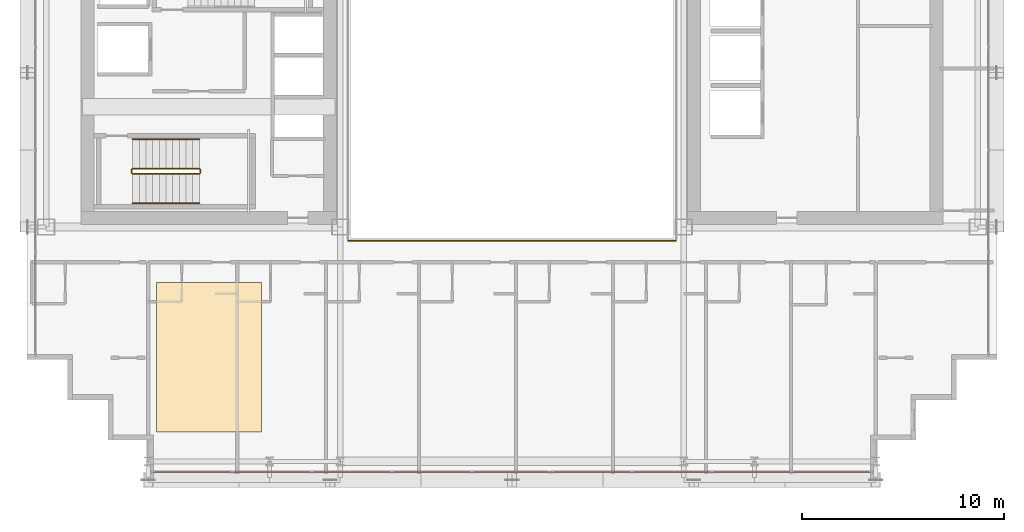
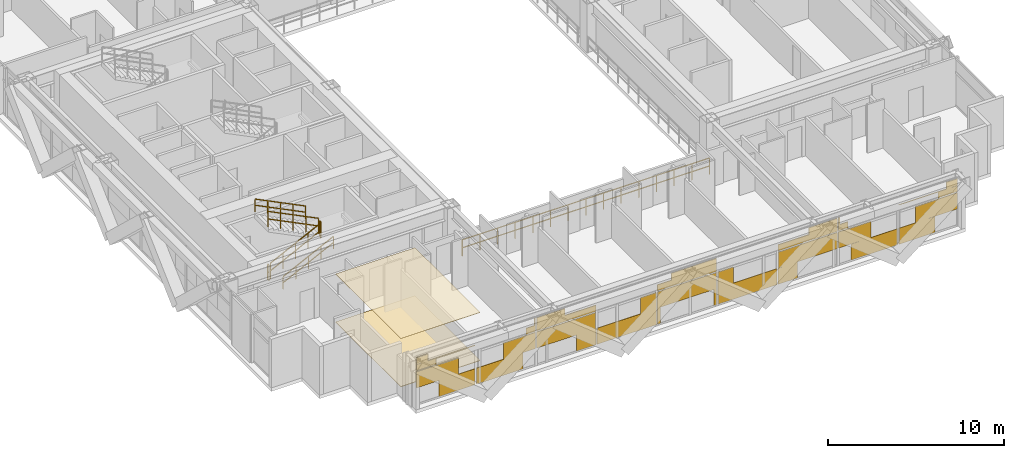
# One storey, part 32 of 35: 7 railings, 3 coverings.
"""IFC4 building model written with IfcOpenShell, lengths in metres."""

from ifc_helpers import new_model, si_unit, direction, frame, origin, origin_2d, place, context, subcontext, project, spatial, polyline, rectangle, outline, extrude, material, layer, layer_set, type_object, element, save


model = new_model("IFC4")

# Units and contexts
model_context = context("Model", 3, precision=1e-05, world=origin(), true_north=direction((0.0, 1.0)))
body_context = subcontext(model_context, "Body", "Model", "MODEL_VIEW")
ifc_project = project(units=[si_unit("LENGTHUNIT", "METRE"), si_unit("AREAUNIT", "SQUARE_METRE"), si_unit("VOLUMEUNIT", "CUBIC_METRE"), si_unit("PLANEANGLEUNIT", "RADIAN"), si_unit("MASSUNIT", "GRAM", prefix="KILO")], contexts=[model_context])

# Site, building, storey
site_placement = place(None, origin())
site = spatial("IfcSite", under=ifc_project, at=site_placement, CompositionType="ELEMENT")
building_placement = place(site_placement, origin())
building = spatial("IfcBuilding", under=site, at=building_placement, Name="Ocotamira Hotel", CompositionType="ELEMENT")
storey_placement = place(building_placement, frame((0.0, 0.0, 100.800048828125)))
storey = spatial("IfcBuildingStorey", under=building, at=storey_placement, Name="L24", CompositionType="ELEMENT", Elevation=100.800048828125)

# Coverings
ifc_material_1 = material(Name="Perforated acoustic gypsum ceiling board", Category="gypsum")
ifc_layer_1 = layer(ifc_material_1, 0.02490234375)
ifc_layer_set_1 = layer_set([ifc_layer_1], Name="Perforated acoustic gypsum ceiling board")
covering_type_1 = type_object("IfcCoveringType", Name="COV-CEIL-25", PredefinedType="CEILING", material=ifc_layer_set_1)
covering_1_placement = place(storey_placement, frame((0.0, 0.0, 3.3349609375)))
element("IfcCovering", 1, at=covering_1_placement, inside=storey, type_object=covering_type_1, Name="L24 Acoustic Ceiling", PredefinedType="CEILING", context=body_context, shape_type="SweptSolid", body=[
    extrude(outline(polyline([(14.39990234375, 4.39990234375), (19.60009765625, 4.39990234375), (19.60009765625, 11.800048828125), (14.39990234375, 11.800048828125), (14.39990234375, 4.39990234375)])), origin(), (0.0, 0.0, 1.0), 0.02490234375),
])
ifc_material_2 = material(Name="Honed desert travertine stone flooring", Category="masonry")
ifc_layer_2 = layer(ifc_material_2, 0.030029296875)
ifc_layer_set_2 = layer_set([ifc_layer_2], Name="Honed desert travertine stone flooring")
covering_type_2 = type_object("IfcCoveringType", Name="COV-FLOR-30", PredefinedType="FLOORING", material=ifc_layer_set_2)
covering_2_placement = place(storey_placement, origin())
element("IfcCovering", 2, at=covering_2_placement, inside=storey, type_object=covering_type_2, Name="L24 Honed Stone Floor Finish", PredefinedType="FLOORING", context=body_context, shape_type="SweptSolid", body=[
    extrude(outline(polyline([(14.39990234375, 4.39990234375), (19.60009765625, 4.39990234375), (19.60009765625, 11.800048828125), (14.39990234375, 11.800048828125), (14.39990234375, 4.39990234375)])), origin(), (0.0, 0.0, 1.0), 0.030029296875),
])
ifc_material_3 = material(Name="Insulated pale-metal aluminium spandrel panel", Category="aluminium")
ifc_layer_3 = layer(ifc_material_3, 0.044921875)
ifc_layer_set_3 = layer_set([ifc_layer_3], Name="Insulated pale-metal aluminium spandrel panel")
covering_type_3 = type_object("IfcCoveringType", Name="COV-INFILL-45", PredefinedType="CLADDING", material=ifc_layer_set_3)
covering_3_placement = place(storey_placement, origin())
element("IfcCovering", 3, at=covering_3_placement, inside=storey, type_object=covering_type_3, Name="L24 Curtain Wall Infill CW-3 CW-L24-S1", PredefinedType="CLADDING", context=body_context, shape_type="SweptSolid", body=[
    extrude(rectangle(XDim=2.754638671875, YDim=0.044921875, at=origin_2d()), frame((15.65771484375, 2.419921875, 1.194091796875), z_axis=(0.0, 0.0, 1.0), x_axis=(1.0, 0.0, 0.0)), (0.0, 0.0, 1.0), 1.11767578125),
    extrude(rectangle(XDim=2.359619140625, YDim=0.044921875, at=origin_2d()), frame((16.935302734375, 2.419921875, 0.0751953125), z_axis=(0.0, 0.0, 1.0), x_axis=(1.0, 0.0, 0.0)), (0.0, 0.0, 1.0), 1.117919921875),
    extrude(rectangle(XDim=1.262451171875, YDim=0.044921875, at=origin_2d()), frame((14.91162109375, 2.419921875, 2.387939453125), z_axis=(0.0, 0.0, 1.0), x_axis=(1.0, 0.0, 0.0)), (0.0, 0.0, 1.0), 0.3935546875),
    extrude(rectangle(XDim=3.834716796875, YDim=0.044921875, at=origin_2d()), frame((16.19775390625, 2.419921875, 2.782470703125), z_axis=(0.0, 0.0, 1.0), x_axis=(1.0, 0.0, 0.0)), (0.0, 0.0, 1.0), 0.0302734375),
    extrude(rectangle(XDim=0.730224609375, YDim=0.044921875, at=origin_2d()), frame((14.6455078125, 2.419921875, 2.813720703125), z_axis=(0.0, 0.0, 1.0), x_axis=(1.0, 0.0, 0.0)), (0.0, 0.0, 1.0), 0.470703125),
    extrude(rectangle(XDim=3.04833984375, YDim=0.044921875, at=origin_2d()), frame((19.72021484375, 2.419921875, 0.0751953125), z_axis=(0.0, 0.0, 1.0), x_axis=(1.0, 0.0, 0.0)), (0.0, 0.0, 1.0), 1.117919921875),
    extrude(rectangle(XDim=2.105712890625, YDim=0.044921875, at=origin_2d()), frame((21.017578125, 2.419921875, 1.194091796875), z_axis=(0.0, 0.0, 1.0), x_axis=(1.0, 0.0, 0.0)), (0.0, 0.0, 1.0), 1.11767578125),
    extrude(rectangle(XDim=0.613525390625, YDim=0.044921875, at=origin_2d()), frame((21.763916015625, 2.419921875, 2.387939453125), z_axis=(0.0, 0.0, 1.0), x_axis=(1.0, 0.0, 0.0)), (0.0, 0.0, 1.0), 0.4248046875),
    extrude(rectangle(XDim=0.081298828125, YDim=0.044921875, at=origin_2d()), frame((22.02978515625, 2.419921875, 2.813720703125), z_axis=(0.0, 0.0, 1.0), x_axis=(1.0, 0.0, 0.0)), (0.0, 0.0, 1.0), 0.470703125),
    extrude(rectangle(XDim=3.87451171875, YDim=0.044921875, at=origin_2d()), frame((24.0888671875, 2.419921875, 1.194091796875), z_axis=(0.0, 0.0, 1.0), x_axis=(1.0, 0.0, 0.0)), (0.0, 0.0, 1.0), 1.11767578125),
    extrude(rectangle(XDim=1.270751953125, YDim=0.044921875, at=origin_2d()), frame((25.390869140625, 2.419921875, 0.0751953125), z_axis=(0.0, 0.0, 1.0), x_axis=(1.0, 0.0, 0.0)), (0.0, 0.0, 1.0), 1.117919921875),
    extrude(rectangle(XDim=3.87451171875, YDim=0.044921875, at=origin_2d()), frame((24.0888671875, 2.419921875, 2.387939453125), z_axis=(0.0, 0.0, 1.0), x_axis=(1.0, 0.0, 0.0)), (0.0, 0.0, 1.0), 0.4248046875),
    extrude(rectangle(XDim=1.859130859375, YDim=0.044921875, at=origin_2d()), frame((23.081298828125, 2.419921875, 2.813720703125), z_axis=(0.0, 0.0, 1.0), x_axis=(1.0, 0.0, 0.0)), (0.0, 0.0, 1.0), 0.470703125),
    extrude(rectangle(XDim=3.87451171875, YDim=0.044921875, at=origin_2d()), frame((28.04443359375, 2.419921875, 0.0751953125), z_axis=(0.0, 0.0, 1.0), x_axis=(1.0, 0.0, 0.0)), (0.0, 0.0, 1.0), 1.117919921875),
    extrude(rectangle(XDim=1.016845703125, YDim=0.044921875, at=origin_2d()), frame((29.473388671875, 2.419921875, 1.194091796875), z_axis=(0.0, 0.0, 1.0), x_axis=(1.0, 0.0, 0.0)), (0.0, 0.0, 1.0), 1.11767578125),
    extrude(rectangle(XDim=0.181884765625, YDim=0.044921875, at=origin_2d()), frame((30.153564453125, 2.419921875, 0.0751953125), z_axis=(0.0, 0.0, 1.0), x_axis=(1.0, 0.0, 0.0)), (0.0, 0.0, 1.0), 1.117919921875),
    extrude(rectangle(XDim=3.87451171875, YDim=0.044921875, at=origin_2d()), frame((32.0, 2.419921875, 1.194091796875), z_axis=(0.0, 0.0, 1.0), x_axis=(1.0, 0.0, 0.0)), (0.0, 0.0, 1.0), 1.11767578125),
    extrude(rectangle(XDim=0.181884765625, YDim=0.044921875, at=origin_2d()), frame((33.846435546875, 2.419921875, 0.0751953125), z_axis=(0.0, 0.0, 1.0), x_axis=(1.0, 0.0, 0.0)), (0.0, 0.0, 1.0), 1.117919921875),
    extrude(rectangle(XDim=3.87451171875, YDim=0.044921875, at=origin_2d()), frame((32.0, 2.419921875, 2.387939453125), z_axis=(0.0, 0.0, 1.0), x_axis=(1.0, 0.0, 0.0)), (0.0, 0.0, 1.0), 0.4248046875),
    extrude(rectangle(XDim=2.947998046875, YDim=0.044921875, at=origin_2d()), frame((32.46337890625, 2.419921875, 2.813720703125), z_axis=(0.0, 0.0, 1.0), x_axis=(1.0, 0.0, 0.0)), (0.0, 0.0, 1.0), 0.470703125),
    extrude(rectangle(XDim=3.87451171875, YDim=0.044921875, at=origin_2d()), frame((35.95556640625, 2.419921875, 0.0751953125), z_axis=(0.0, 0.0, 1.0), x_axis=(1.0, 0.0, 0.0)), (0.0, 0.0, 1.0), 1.117919921875),
    extrude(rectangle(XDim=1.016845703125, YDim=0.044921875, at=origin_2d()), frame((34.526611328125, 2.419921875, 1.194091796875), z_axis=(0.0, 0.0, 1.0), x_axis=(1.0, 0.0, 0.0)), (0.0, 0.0, 1.0), 1.11767578125),
    extrude(rectangle(XDim=1.270751953125, YDim=0.044921875, at=origin_2d()), frame((38.609130859375, 2.419921875, 0.0751953125), z_axis=(0.0, 0.0, 1.0), x_axis=(1.0, 0.0, 0.0)), (0.0, 0.0, 1.0), 1.117919921875),
    extrude(rectangle(XDim=3.87451171875, YDim=0.044921875, at=origin_2d()), frame((39.9111328125, 2.419921875, 1.194091796875), z_axis=(0.0, 0.0, 1.0), x_axis=(1.0, 0.0, 0.0)), (0.0, 0.0, 1.0), 1.11767578125),
    extrude(rectangle(XDim=3.87451171875, YDim=0.044921875, at=origin_2d()), frame((39.9111328125, 2.419921875, 2.387939453125), z_axis=(0.0, 0.0, 1.0), x_axis=(1.0, 0.0, 0.0)), (0.0, 0.0, 1.0), 0.4248046875),
    extrude(rectangle(XDim=1.859130859375, YDim=0.044921875, at=origin_2d()), frame((40.918701171875, 2.419921875, 2.813720703125), z_axis=(0.0, 0.0, 1.0), x_axis=(1.0, 0.0, 0.0)), (0.0, 0.0, 1.0), 0.470703125),
    extrude(rectangle(XDim=2.105712890625, YDim=0.044921875, at=origin_2d()), frame((42.982421875, 2.419921875, 1.194091796875), z_axis=(0.0, 0.0, 1.0), x_axis=(1.0, 0.0, 0.0)), (0.0, 0.0, 1.0), 1.11767578125),
    extrude(rectangle(XDim=3.04833984375, YDim=0.044921875, at=origin_2d()), frame((44.27978515625, 2.419921875, 0.0751953125), z_axis=(0.0, 0.0, 1.0), x_axis=(1.0, 0.0, 0.0)), (0.0, 0.0, 1.0), 1.117919921875),
    extrude(rectangle(XDim=0.613525390625, YDim=0.044921875, at=origin_2d()), frame((42.236083984375, 2.419921875, 2.387939453125), z_axis=(0.0, 0.0, 1.0), x_axis=(1.0, 0.0, 0.0)), (0.0, 0.0, 1.0), 0.4248046875),
    extrude(rectangle(XDim=0.081298828125, YDim=0.044921875, at=origin_2d()), frame((41.97021484375, 2.419921875, 2.813720703125), z_axis=(0.0, 0.0, 1.0), x_axis=(1.0, 0.0, 0.0)), (0.0, 0.0, 1.0), 0.470703125),
    extrude(rectangle(XDim=2.359619140625, YDim=0.044921875, at=origin_2d()), frame((47.064697265625, 2.419921875, 0.0751953125), z_axis=(0.0, 0.0, 1.0), x_axis=(1.0, 0.0, 0.0)), (0.0, 0.0, 1.0), 1.117919921875),
    extrude(rectangle(XDim=2.754638671875, YDim=0.044921875, at=origin_2d()), frame((48.34228515625, 2.419921875, 1.194091796875), z_axis=(0.0, 0.0, 1.0), x_axis=(1.0, 0.0, 0.0)), (0.0, 0.0, 1.0), 1.11767578125),
    extrude(rectangle(XDim=3.834716796875, YDim=0.044921875, at=origin_2d()), frame((47.80224609375, 2.419921875, 2.782470703125), z_axis=(0.0, 0.0, 1.0), x_axis=(1.0, 0.0, 0.0)), (0.0, 0.0, 1.0), 0.0302734375),
    extrude(rectangle(XDim=1.262451171875, YDim=0.044921875, at=origin_2d()), frame((49.08837890625, 2.419921875, 2.387939453125), z_axis=(0.0, 0.0, 1.0), x_axis=(1.0, 0.0, 0.0)), (0.0, 0.0, 1.0), 0.3935546875),
    extrude(rectangle(XDim=0.730224609375, YDim=0.044921875, at=origin_2d()), frame((49.3544921875, 2.419921875, 2.813720703125), z_axis=(0.0, 0.0, 1.0), x_axis=(1.0, 0.0, 0.0)), (0.0, 0.0, 1.0), 0.470703125),
])

# Railings
ifc_material_4 = material(Name="Painted steel stair guardrail", Category="steel")
railing_type_1 = type_object("IfcRailingType", Name="RL-EDGE-1150", PredefinedType="GUARDRAIL", material=ifc_material_4)
railing_1_placement = place(storey_placement, frame((23.89990234375, 13.8798828125, 0.0)))
element("IfcRailing", 4, at=railing_1_placement, inside=storey, type_object=railing_type_1, Name="L24 Central Atrium Edge Guardrail S", PredefinedType="GUARDRAIL", context=body_context, shape_type="SweptSolid", body=[
    extrude(rectangle(XDim=0.048095703125, YDim=0.048095703125, at=origin_2d()), frame((0.0, 0.0, 1.1259765625), z_axis=(1.0, 0.0, 0.0), x_axis=(0.0, 1.0, 0.0)), (0.0, 0.0, 1.0), 16.2001953125),
    extrude(rectangle(XDim=0.048095703125, YDim=0.048095703125, at=origin_2d()), frame((0.0, 0.0, 0.574951171875), z_axis=(1.0, 0.0, 0.0), x_axis=(0.0, 1.0, 0.0)), (0.0, 0.0, 1.0), 16.2001953125),
    extrude(rectangle(XDim=0.0419921875, YDim=0.0419921875, at=origin_2d()), origin(), (0.0, 0.0, 1.0), 1.101806640625),
    extrude(rectangle(XDim=0.0419921875, YDim=0.0419921875, at=origin_2d()), frame((1.1572265625, 0.0, 0.0)), (0.0, 0.0, 1.0), 1.101806640625),
    extrude(rectangle(XDim=0.0419921875, YDim=0.0419921875, at=origin_2d()), frame((2.314208984375, 0.0, 0.0)), (0.0, 0.0, 1.0), 1.101806640625),
    extrude(rectangle(XDim=0.0419921875, YDim=0.0419921875, at=origin_2d()), frame((3.471435546875, 0.0, 0.0)), (0.0, 0.0, 1.0), 1.101806640625),
    extrude(rectangle(XDim=0.0419921875, YDim=0.0419921875, at=origin_2d()), frame((4.628662109375, 0.0, 0.0)), (0.0, 0.0, 1.0), 1.101806640625),
    extrude(rectangle(XDim=0.0419921875, YDim=0.0419921875, at=origin_2d()), frame((5.785888671875, 0.0, 0.0)), (0.0, 0.0, 1.0), 1.101806640625),
    extrude(rectangle(XDim=0.0419921875, YDim=0.0419921875, at=origin_2d()), frame((6.94287109375, 0.0, 0.0)), (0.0, 0.0, 1.0), 1.101806640625),
    extrude(rectangle(XDim=0.0419921875, YDim=0.0419921875, at=origin_2d()), frame((8.10009765625, 0.0, 0.0)), (0.0, 0.0, 1.0), 1.101806640625),
    extrude(rectangle(XDim=0.0419921875, YDim=0.0419921875, at=origin_2d()), frame((9.25732421875, 0.0, 0.0)), (0.0, 0.0, 1.0), 1.101806640625),
    extrude(rectangle(XDim=0.0419921875, YDim=0.0419921875, at=origin_2d()), frame((10.414306640625, 0.0, 0.0)), (0.0, 0.0, 1.0), 1.101806640625),
    extrude(rectangle(XDim=0.0419921875, YDim=0.0419921875, at=origin_2d()), frame((11.571533203125, 0.0, 0.0)), (0.0, 0.0, 1.0), 1.101806640625),
    extrude(rectangle(XDim=0.0419921875, YDim=0.0419921875, at=origin_2d()), frame((12.728759765625, 0.0, 0.0)), (0.0, 0.0, 1.0), 1.101806640625),
    extrude(rectangle(XDim=0.0419921875, YDim=0.0419921875, at=origin_2d()), frame((13.885986328125, 0.0, 0.0)), (0.0, 0.0, 1.0), 1.101806640625),
    extrude(rectangle(XDim=0.0419921875, YDim=0.0419921875, at=origin_2d()), frame((15.04296875, 0.0, 0.0)), (0.0, 0.0, 1.0), 1.101806640625),
    extrude(rectangle(XDim=0.0419921875, YDim=0.0419921875, at=origin_2d()), frame((16.2001953125, 0.0, 0.0)), (0.0, 0.0, 1.0), 1.101806640625),
])
ifc_material_5 = material(Name="Brushed stainless steel handrail", Category="steel")
railing_type_2 = type_object("IfcRailingType", Name="RL-HAND-900", PredefinedType="HANDRAIL", material=ifc_material_5)
railing_2_placement = place(storey_placement, frame((13.22998046875, 15.719970703125, 0.3271484375)))
element("IfcRailing", 5, at=railing_2_placement, inside=storey, type_object=railing_type_2, Name="L24 ST-1 stair handrail 1", PredefinedType="HANDRAIL", context=body_context, shape_type="SweptSolid", body=[
    extrude(rectangle(XDim=0.048095703125, YDim=0.048095703125, at=origin_2d()), frame((0.0, 0.0, 0.8759765625), z_axis=(0.895893744519, 0.0, 0.4442683857), x_axis=(0.0, 1.0, 0.0)), (0.0, 0.0, 1.0), 3.68359375),
    extrude(rectangle(XDim=0.048095703125, YDim=0.048095703125, at=origin_2d()), frame((0.0, 0.0, 0.449951171875), z_axis=(0.895893744519, 0.0, 0.4442683857), x_axis=(0.0, 1.0, 0.0)), (0.0, 0.0, 1.0), 3.68359375),
    extrude(rectangle(XDim=0.0419921875, YDim=0.0419921875, at=origin_2d()), origin(), (0.0, 0.0, 1.0), 0.851806640625),
    extrude(rectangle(XDim=0.0419921875, YDim=0.0419921875, at=origin_2d()), frame((0.824951171875, 0.0, 0.4091796875)), (0.0, 0.0, 1.0), 0.851806640625),
    extrude(rectangle(XDim=0.0419921875, YDim=0.0419921875, at=origin_2d()), frame((1.64990234375, 0.0, 0.818359375)), (0.0, 0.0, 1.0), 0.851806640625),
    extrude(rectangle(XDim=0.0419921875, YDim=0.0419921875, at=origin_2d()), frame((2.47509765625, 0.0, 1.227294921875)), (0.0, 0.0, 1.0), 0.851806640625),
    extrude(rectangle(XDim=0.0419921875, YDim=0.0419921875, at=origin_2d()), frame((3.300048828125, 0.0, 1.636474609375)), (0.0, 0.0, 1.0), 0.851806640625),
])
railing_3_placement = place(storey_placement, frame((16.530029296875, 18.89990234375, 2.127197265625)))
element("IfcRailing", 6, at=railing_3_placement, inside=storey, type_object=railing_type_2, Name="L24 ST-1 stair handrail 2", PredefinedType="HANDRAIL", context=body_context, shape_type="SweptSolid", body=[
    extrude(rectangle(XDim=0.048095703125, YDim=0.048095703125, at=origin_2d()), frame((0.0, 0.0, 0.8759765625), z_axis=(-0.895893744519, 0.0, 0.4442683857), x_axis=(0.0, -1.0, 0.0)), (0.0, 0.0, 1.0), 3.68359375),
    extrude(rectangle(XDim=0.048095703125, YDim=0.048095703125, at=origin_2d()), frame((0.0, 0.0, 0.449951171875), z_axis=(-0.895893744519, 0.0, 0.4442683857), x_axis=(0.0, -1.0, 0.0)), (0.0, 0.0, 1.0), 3.68359375),
    extrude(rectangle(XDim=0.0419921875, YDim=0.0419921875, at=origin_2d()), origin(), (0.0, 0.0, 1.0), 0.851806640625),
    extrude(rectangle(XDim=0.0419921875, YDim=0.0419921875, at=origin_2d()), frame((-0.824951171875, 0.0, 0.4091796875)), (0.0, 0.0, 1.0), 0.851806640625),
    extrude(rectangle(XDim=0.0419921875, YDim=0.0419921875, at=origin_2d()), frame((-1.64990234375, 0.0, 0.818359375)), (0.0, 0.0, 1.0), 0.851806640625),
    extrude(rectangle(XDim=0.0419921875, YDim=0.0419921875, at=origin_2d()), frame((-2.47509765625, 0.0, 1.227294921875)), (0.0, 0.0, 1.0), 0.851806640625),
    extrude(rectangle(XDim=0.0419921875, YDim=0.0419921875, at=origin_2d()), frame((-3.300048828125, 0.0, 1.636474609375)), (0.0, 0.0, 1.0), 0.851806640625),
])
railing_type_3 = type_object("IfcRailingType", Name="RL-STAIR-1100", PredefinedType="GUARDRAIL", material=ifc_material_4)
railing_4_placement = place(storey_placement, frame((13.22998046875, 17.179931640625, 0.16357421875)))
element("IfcRailing", 7, at=railing_4_placement, inside=storey, type_object=railing_type_3, Name="L24 ST-1 stair guard 1", PredefinedType="GUARDRAIL", context=body_context, shape_type="SweptSolid", body=[
    extrude(rectangle(XDim=0.048095703125, YDim=0.048095703125, at=origin_2d()), frame((0.0, 0.0, 1.076171875), z_axis=(0.895893744519, 0.0, 0.4442683857), x_axis=(0.0, 1.0, 0.0)), (0.0, 0.0, 1.0), 3.68359375),
    extrude(rectangle(XDim=0.048095703125, YDim=0.048095703125, at=origin_2d()), frame((0.0, 0.0, 0.550048828125), z_axis=(0.895893744519, 0.0, 0.4442683857), x_axis=(0.0, 1.0, 0.0)), (0.0, 0.0, 1.0), 3.68359375),
    extrude(rectangle(XDim=0.0419921875, YDim=0.0419921875, at=origin_2d()), origin(), (0.0, 0.0, 1.0), 1.052001953125),
    extrude(rectangle(XDim=0.0419921875, YDim=0.0419921875, at=origin_2d()), frame((0.824951171875, 0.0, 0.4091796875)), (0.0, 0.0, 1.0), 1.052001953125),
    extrude(rectangle(XDim=0.0419921875, YDim=0.0419921875, at=origin_2d()), frame((1.64990234375, 0.0, 0.818359375)), (0.0, 0.0, 1.0), 1.052001953125),
    extrude(rectangle(XDim=0.0419921875, YDim=0.0419921875, at=origin_2d()), frame((2.47509765625, 0.0, 1.227294921875)), (0.0, 0.0, 1.0), 1.052001953125),
    extrude(rectangle(XDim=0.0419921875, YDim=0.0419921875, at=origin_2d()), frame((3.300048828125, 0.0, 1.636474609375)), (0.0, 0.0, 1.0), 1.052001953125),
])
railing_5_placement = place(storey_placement, frame((16.580078125, 17.22998046875, 1.800048828125)))
element("IfcRailing", 8, at=railing_5_placement, inside=storey, type_object=railing_type_3, Name="L24 ST-1 stair guard 2", PredefinedType="GUARDRAIL", context=body_context, shape_type="SweptSolid", body=[
    extrude(rectangle(XDim=0.048095703125, YDim=0.048095703125, at=origin_2d()), frame((0.0, 0.0, 1.076171875), z_axis=(0.0, 1.0, 0.0), x_axis=(-1.0, 0.0, 0.0)), (0.0, 0.0, 1.0), 0.159912109375),
    extrude(rectangle(XDim=0.048095703125, YDim=0.048095703125, at=origin_2d()), frame((0.0, 0.0, 0.550048828125), z_axis=(0.0, 1.0, 0.0), x_axis=(-1.0, 0.0, 0.0)), (0.0, 0.0, 1.0), 0.159912109375),
    extrude(rectangle(XDim=0.0419921875, YDim=0.0419921875, at=origin_2d()), origin(), (0.0, 0.0, 1.0), 1.052001953125),
    extrude(rectangle(XDim=0.0419921875, YDim=0.0419921875, at=origin_2d()), frame((0.0, 0.159912109375, 0.0)), (0.0, 0.0, 1.0), 1.052001953125),
])
railing_6_placement = place(storey_placement, frame((16.530029296875, 17.43994140625, 1.963623046875)))
element("IfcRailing", 9, at=railing_6_placement, inside=storey, type_object=railing_type_3, Name="L24 ST-1 stair guard 3", PredefinedType="GUARDRAIL", context=body_context, shape_type="SweptSolid", body=[
    extrude(rectangle(XDim=0.048095703125, YDim=0.048095703125, at=origin_2d()), frame((0.0, 0.0, 1.076171875), z_axis=(-0.895920123917, 0.0, 0.444215186098), x_axis=(0.0, -1.0, 0.0)), (0.0, 0.0, 1.0), 3.683349609375),
    extrude(rectangle(XDim=0.048095703125, YDim=0.048095703125, at=origin_2d()), frame((0.0, 0.0, 0.550048828125), z_axis=(-0.895920123917, 0.0, 0.444215186098), x_axis=(0.0, -1.0, 0.0)), (0.0, 0.0, 1.0), 3.683349609375),
    extrude(rectangle(XDim=0.0419921875, YDim=0.0419921875, at=origin_2d()), origin(), (0.0, 0.0, 1.0), 1.052001953125),
    extrude(rectangle(XDim=0.0419921875, YDim=0.0419921875, at=origin_2d()), frame((-0.824951171875, 0.0, 0.4091796875)), (0.0, 0.0, 1.0), 1.052001953125),
    extrude(rectangle(XDim=0.0419921875, YDim=0.0419921875, at=origin_2d()), frame((-1.64990234375, 0.0, 0.818115234375)), (0.0, 0.0, 1.0), 1.052001953125),
    extrude(rectangle(XDim=0.0419921875, YDim=0.0419921875, at=origin_2d()), frame((-2.47509765625, 0.0, 1.22705078125)), (0.0, 0.0, 1.0), 1.052001953125),
    extrude(rectangle(XDim=0.0419921875, YDim=0.0419921875, at=origin_2d()), frame((-3.300048828125, 0.0, 1.63623046875)), (0.0, 0.0, 1.0), 1.052001953125),
])
railing_7_placement = place(storey_placement, frame((13.179931640625, 17.22998046875, 0.0)))
element("IfcRailing", 10, at=railing_7_placement, inside=storey, type_object=railing_type_3, Name="L24 ST-1 stair guard 4", PredefinedType="GUARDRAIL", context=body_context, shape_type="SweptSolid", body=[
    extrude(rectangle(XDim=0.048095703125, YDim=0.048095703125, at=origin_2d()), frame((0.0, 0.0, 1.076171875), z_axis=(0.0, 1.0, 0.0), x_axis=(-1.0, 0.0, 0.0)), (0.0, 0.0, 1.0), 0.159912109375),
    extrude(rectangle(XDim=0.048095703125, YDim=0.048095703125, at=origin_2d()), frame((0.0, 0.0, 0.550048828125), z_axis=(0.0, 1.0, 0.0), x_axis=(-1.0, 0.0, 0.0)), (0.0, 0.0, 1.0), 0.159912109375),
    extrude(rectangle(XDim=0.0419921875, YDim=0.0419921875, at=origin_2d()), origin(), (0.0, 0.0, 1.0), 1.052001953125),
    extrude(rectangle(XDim=0.0419921875, YDim=0.0419921875, at=origin_2d()), frame((0.0, 0.159912109375, 0.0)), (0.0, 0.0, 1.0), 1.052001953125),
])

save(model, "model.ifc")
